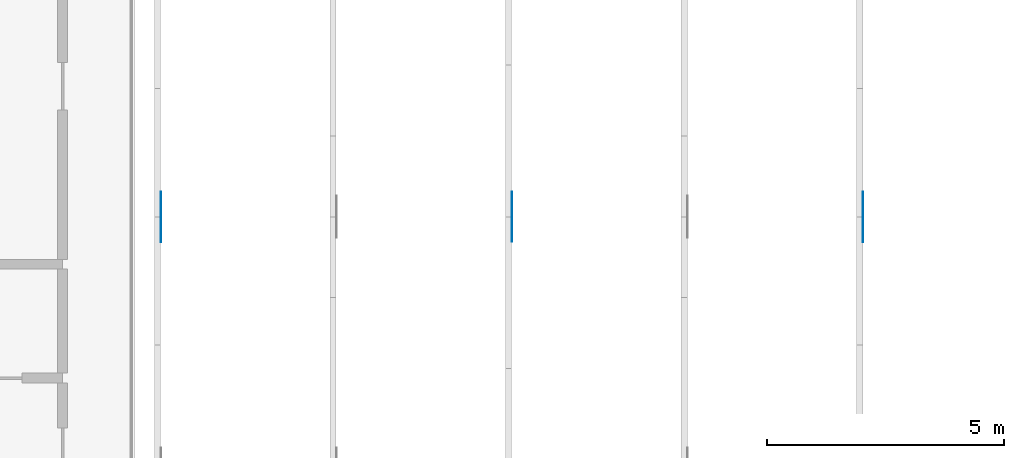
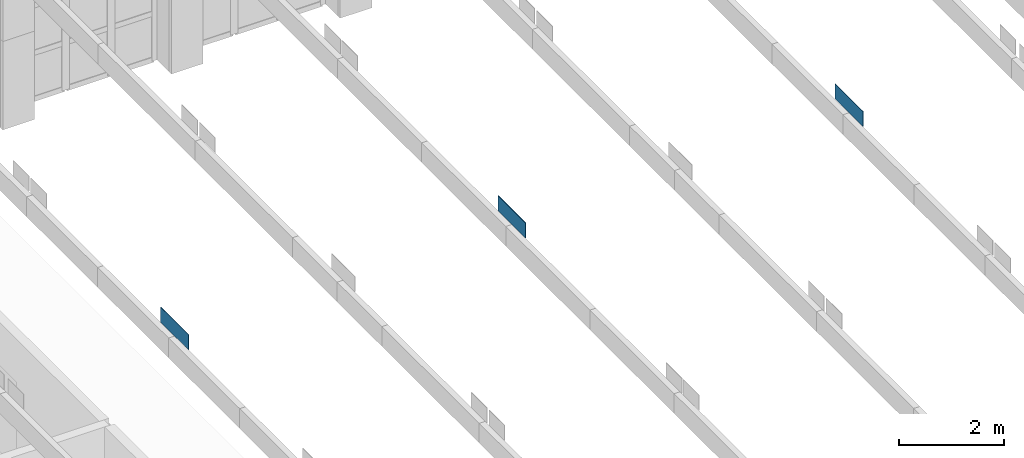
# One storey, part 71 of 99: 3 discrete accessories.
"""IFC4 building model written with IfcOpenShell, lengths in metres."""

import ifcopenshell
import ifcopenshell.guid

model = None  # the IFC model being written
_history = None  # IfcOwnerHistory: only IFC2X3 demands one
_inside = {}  # id of a spatial element -> (the spatial element, [elements in it])
_under = {}  # id of a project, library or spatial element -> (it, [spatial elements below it])
_declared = {}  # id of a project -> (the project, [libraries it declares])
_typed = {}  # id of a type object -> (the type object, [elements of that type])
_made_of = {}  # id of a material, layer set ... -> (it, [elements and type objects made of it])


def new_model(schema):
    """Start an empty IFC model of exactly this schema.

    Asked for "IFC4X3", IfcOpenShell would pick the latest addendum, in which some entities
    have other attributes; the version numbers below select the first issue.
    IFC2X3 requires an IfcOwnerHistory on every rooted entity: one is made here for all.
    """
    global model, _history
    if schema == "IFC4X3":
        model = ifcopenshell.file(schema_version=(4, 3, 0, 0))
    else:
        model = ifcopenshell.file(schema=schema)
    _inside.clear()
    _under.clear()
    _declared.clear()
    _typed.clear()
    _made_of.clear()
    _history = None
    if model.schema == "IFC2X3":
        org = make("IfcOrganization", Name="unknown")
        user = make(
            "IfcPersonAndOrganization",
            ThePerson=make("IfcPerson", FamilyName="unknown"),
            TheOrganization=org,
        )
        app = make(
            "IfcApplication",
            ApplicationDeveloper=org,
            Version="unknown",
            ApplicationFullName="unknown",
            ApplicationIdentifier="unknown",
        )
        _history = make(
            "IfcOwnerHistory",
            OwningUser=user,
            OwningApplication=app,
            ChangeAction="ADDED",
            CreationDate=0,
        )
    return model


def make(cls, **values):
    """One entity of the class cls with the attributes given. An attribute that is None is left unset."""
    return model.create_entity(
        cls, **{name: value for name, value in values.items() if value is not None}
    )


def rooted(cls, **values):
    """An entity with a GlobalId (a new one), such as an element, a storey or a relation."""
    return make(cls, GlobalId=ifcopenshell.guid.new(), OwnerHistory=_history, **values)


def si_unit(unit_type, name, prefix=None):
    """IfcSIUnit, for example si_unit("LENGTHUNIT", "METRE", prefix="MILLI")."""
    return make("IfcSIUnit", UnitType=unit_type, Prefix=prefix, Name=name)


def assignment(units):
    """IfcUnitAssignment: the units of a project."""
    return None if units is None else make("IfcUnitAssignment", Units=units)


def point(xyz):
    """IfcCartesianPoint."""
    return None if xyz is None else make("IfcCartesianPoint", Coordinates=xyz)


def direction(xyz):
    """IfcDirection."""
    return None if xyz is None else make("IfcDirection", DirectionRatios=xyz)


def frame(location, z_axis=None, x_axis=None):
    """IfcAxis2Placement3D, a coordinate frame: its origin and axes. An axis left out is left unset."""
    return make(
        "IfcAxis2Placement3D",
        Location=point(location),
        Axis=direction(z_axis),
        RefDirection=direction(x_axis),
    )


def origin():
    """The frame at (0, 0, 0) with its axes left unset."""
    return frame((0.0, 0.0, 0.0))


def place(relative_to, where):
    """IfcLocalPlacement: puts the frame where relative to a parent placement (None: the world)."""
    return make(
        "IfcLocalPlacement", PlacementRelTo=relative_to, RelativePlacement=where
    )


def context(
    kind, dimensions, precision=None, world=None, true_north=None, identifier=None
):
    """IfcGeometricRepresentationContext, for example the 3D "Model" context."""
    return make(
        "IfcGeometricRepresentationContext",
        ContextIdentifier=identifier,
        ContextType=kind,
        CoordinateSpaceDimension=dimensions,
        Precision=precision,
        WorldCoordinateSystem=world,
        TrueNorth=true_north,
    )


def subcontext(parent, identifier, kind, view, scale=None):
    """IfcGeometricRepresentationSubContext, for example "Body" below "Model"."""
    return make(
        "IfcGeometricRepresentationSubContext",
        ContextIdentifier=identifier,
        ContextType=kind,
        ParentContext=parent,
        TargetScale=scale,
        TargetView=view,
    )


def project(units=None, contexts=None):
    """IfcProject with its units and contexts."""
    return rooted(
        "IfcProject",
        Name="project",
        RepresentationContexts=contexts,
        UnitsInContext=assignment(units),
    )


def spatial(cls, under=None, at=None, **own):
    """A site, building, storey or space (cls), placed at a placement, below another one or the project."""
    s = rooted(cls, ObjectPlacement=at, **own)
    if under is not None:
        _under.setdefault(under.id(), (under, []))[1].append(s)
    return s


def polyline(points):
    """IfcPolyline through the points."""
    return make("IfcPolyline", Points=[point(p) for p in points])


def outline(outer, holes=None, kind="AREA"):
    """IfcArbitraryClosedProfileDef: a profile drawn as a closed curve; with holes, ...WithVoids."""
    if holes is None:
        return make("IfcArbitraryClosedProfileDef", ProfileType=kind, OuterCurve=outer)
    return make(
        "IfcArbitraryProfileDefWithVoids",
        ProfileType=kind,
        OuterCurve=outer,
        InnerCurves=holes,
    )


def extrude(swept, where, along, depth):
    """IfcExtrudedAreaSolid: the profile swept, set in the frame where, extruded along a direction by depth."""
    return make(
        "IfcExtrudedAreaSolid",
        SweptArea=swept,
        Position=where,
        ExtrudedDirection=direction(along),
        Depth=depth,
    )


def shape(context_of_items, identifier, shape_type, items):
    """IfcShapeRepresentation: the items that make up one representation, for example the "Body"."""
    return make(
        "IfcShapeRepresentation",
        ContextOfItems=context_of_items,
        RepresentationIdentifier=identifier,
        RepresentationType=shape_type,
        Items=items,
    )


def made_of(thing, what):
    """Note that an element or type object is made of a material, layer set ...; save() writes the relation."""
    if what is not None:
        _made_of.setdefault(what.id(), (what, []))[1].append(thing)
    return thing


def element(
    cls,
    number,
    at=None,
    inside=None,
    cuts=None,
    type_object=None,
    material=None,
    context=None,
    identifier="Body",
    shape_type=None,
    held_by="IfcProductDefinitionShape",
    body=None,
    shapes=None,
    **own,
):
    """One element of the class cls, such as IfcWall. Its Tag is "e" and its number.

    at: its placement. inside: the storey or other place that contains it. cuts: it is an
    opening in that element (IfcRelVoidsElement). A single representation is given by context,
    identifier, shape_type and body (its items); several are given by shapes. held_by: the class
    of the entity that holds the representations. save() writes the other relations.
    """
    e = rooted(cls, Tag="e%d" % number, ObjectPlacement=at, **own)
    if body is not None:
        shapes = [shape(context, identifier, shape_type, body)]
    if shapes is not None:
        e.Representation = make(held_by, Representations=shapes)
    if inside is not None:
        _inside.setdefault(inside.id(), (inside, []))[1].append(e)
    if cuts is not None:
        rooted(
            "IfcRelVoidsElement", RelatingBuildingElement=cuts, RelatedOpeningElement=e
        )
    if type_object is not None:
        _typed.setdefault(type_object.id(), (type_object, []))[1].append(e)
    return made_of(e, material)


def aggregate(whole, parts):
    """IfcRelAggregates: a whole, such as a stair, and the parts it consists of."""
    return rooted("IfcRelAggregates", RelatingObject=whole, RelatedObjects=parts)


def save(model, path):
    """Write the relations noted so far, then the file.

    IfcRelAggregates (storeys below a building ...), IfcRelContainedInSpatialStructure (elements
    in a storey), IfcRelDefinesByType, IfcRelAssociatesMaterial and IfcRelDeclares: one each for
    every whole, place, type object, material and project.
    """
    for whole, parts in _under.values():
        aggregate(whole, parts)
    for where, things in _inside.values():
        rooted(
            "IfcRelContainedInSpatialStructure",
            RelatedElements=things,
            RelatingStructure=where,
        )
    for kind, things in _typed.values():
        rooted("IfcRelDefinesByType", RelatedObjects=things, RelatingType=kind)
    for what, things in _made_of.values():
        rooted("IfcRelAssociatesMaterial", RelatedObjects=things, RelatingMaterial=what)
    for by, libraries in _declared.values():
        rooted("IfcRelDeclares", RelatingContext=by, RelatedDefinitions=libraries)
    model.write(path)


model = new_model("IFC4")

# Units and contexts
model_context = context("Model", 3, precision=1e-05, world=origin(), true_north=direction((0.0, 1.0)))
body_context = subcontext(model_context, "Body", "Model", "MODEL_VIEW")
ifc_project = project(units=[si_unit("LENGTHUNIT", "METRE"), si_unit("AREAUNIT", "SQUARE_METRE"), si_unit("VOLUMEUNIT", "CUBIC_METRE"), si_unit("PLANEANGLEUNIT", "RADIAN"), si_unit("MASSUNIT", "GRAM", prefix="KILO")], contexts=[model_context])

# Site, building, storey
site_placement = place(None, origin())
site = spatial("IfcSite", under=ifc_project, at=site_placement, CompositionType="ELEMENT")
building_placement = place(site_placement, origin())
building = spatial("IfcBuilding", under=site, at=building_placement, Name="Wasatch Bagh Community Centre", CompositionType="ELEMENT")
storey_placement = place(building_placement, frame((0.0, 0.0, 4.199951171875)))
storey = spatial("IfcBuildingStorey", under=building, at=storey_placement, Name="L01", CompositionType="ELEMENT", Elevation=4.199951171875)

# Discrete accessories
discrete_accessory_1_placement = place(storey_placement, frame((73.677490234375, 18.468017578125, 3.77783203125), z_axis=(1.0, 0.0, 0.0), x_axis=(0.0, 1.0, 0.0)))
element("IfcDiscreteAccessory", 1, at=discrete_accessory_1_placement, inside=storey, Name="Gusset plate", PredefinedType="BRACKET", context=body_context, shape_type="SweptSolid", body=[
    extrude(outline(polyline([(0.0, 0.0), (1.06396484375, 0.0), (1.06396484375, 0.349853515625), (0.0, 0.349853515625), (0.0, 0.0)])), origin(), (0.0, 0.0, -1.0), 0.011962890625),
])
discrete_accessory_2_placement = place(storey_placement, frame((81.07763671875, 18.472900390625, 3.77783203125), z_axis=(1.0, 0.0, 0.0), x_axis=(0.0, 1.0, 0.0)))
element("IfcDiscreteAccessory", 2, at=discrete_accessory_2_placement, inside=storey, Name="Gusset plate", PredefinedType="BRACKET", context=body_context, shape_type="SweptSolid", body=[
    extrude(outline(polyline([(0.0, 0.0), (1.05419921875, 0.0), (1.05419921875, 0.349853515625), (0.0, 0.349853515625), (0.0, 0.0)])), origin(), (0.0, 0.0, -1.0), 0.011962890625),
])
discrete_accessory_3_placement = place(storey_placement, frame((88.4775390625, 18.468017578125, 3.77783203125), z_axis=(1.0, 0.0, 0.0), x_axis=(0.0, 1.0, 0.0)))
element("IfcDiscreteAccessory", 3, at=discrete_accessory_3_placement, inside=storey, Name="Gusset plate", PredefinedType="BRACKET", context=body_context, shape_type="SweptSolid", body=[
    extrude(outline(polyline([(0.0, 0.0), (1.06396484375, 0.0), (1.06396484375, 0.349853515625), (0.0, 0.349853515625), (0.0, 0.0)])), origin(), (0.0, 0.0, -1.0), 0.011962890625),
])

save(model, "model.ifc")
